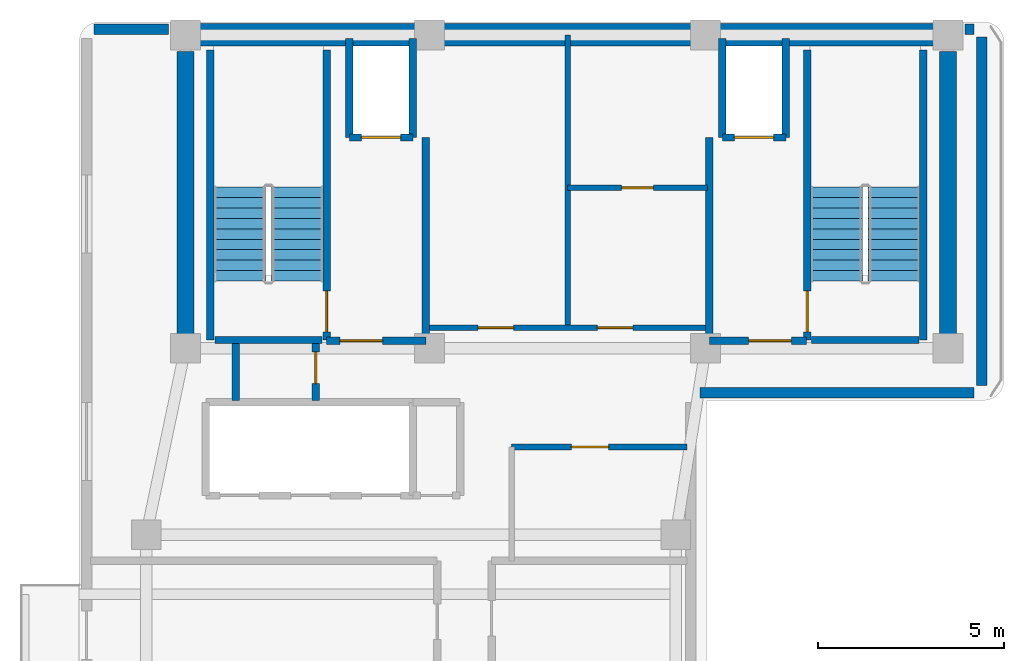
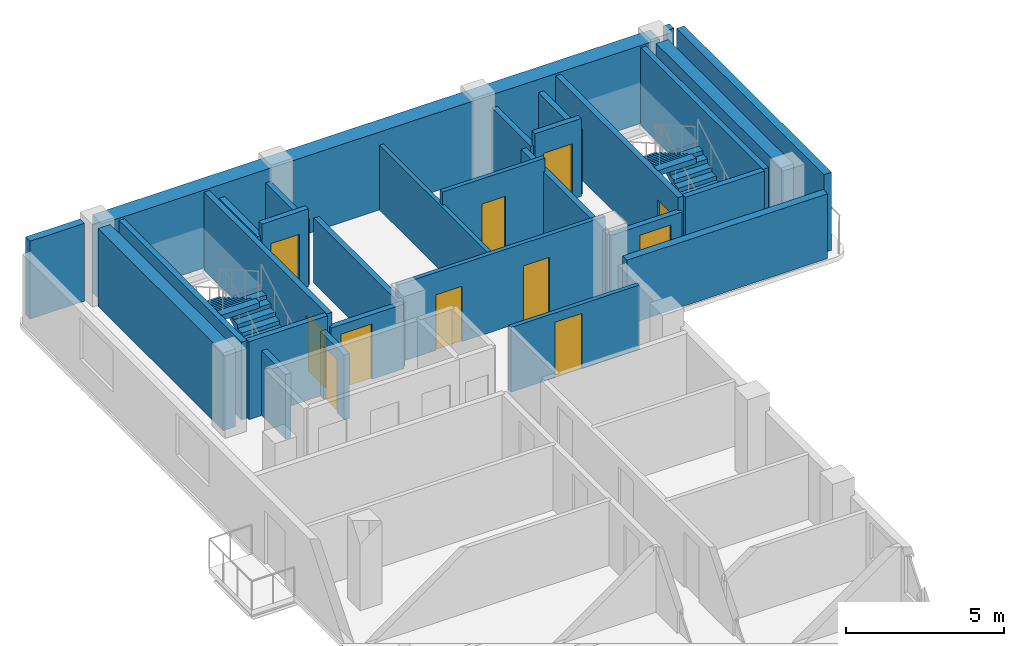
# One storey, part 3 of 5: 29 walls, 11 doors, 4 stair flights, 11 openings, 2 elements without a shape of their own.
"""IFC4 building model written with IfcOpenShell, lengths in metres."""

from ifc_helpers import new_model, si_unit, direction, frame, frame_2d, origin, place, context, subcontext, project, spatial, polyline, rectangle, outline, extrude, material, layer, layer_set, type_object, element, fill, aggregate, save


model = new_model("IFC4")

# Units and contexts
model_context = context("Model", 3, precision=1e-05, world=origin(), true_north=direction((0.0, 1.0)))
body_context = subcontext(model_context, "Body", "Model", "MODEL_VIEW")
ifc_project = project(units=[si_unit("LENGTHUNIT", "METRE"), si_unit("AREAUNIT", "SQUARE_METRE"), si_unit("VOLUMEUNIT", "CUBIC_METRE"), si_unit("PLANEANGLEUNIT", "RADIAN"), si_unit("MASSUNIT", "GRAM", prefix="KILO")], contexts=[model_context])

# Site, building, storey
site_placement = place(None, origin())
site = spatial("IfcSite", under=ifc_project, at=site_placement, CompositionType="ELEMENT")
building_placement = place(site_placement, origin())
building = spatial("IfcBuilding", under=site, at=building_placement, Name="Kuzgunbayir Cultural Tower", CompositionType="ELEMENT")
storey_placement = place(building_placement, frame((0.0, 0.0, 228.0)))
storey = spatial("IfcBuildingStorey", under=building, at=storey_placement, Name="L67", CompositionType="ELEMENT", Elevation=228.0)

# Walls
ifc_material_1 = material(Name="Concrete C50/60", Category="concrete")
ifc_layer_1 = layer(ifc_material_1, 0.449951171875)
ifc_layer_set_1 = layer_set([ifc_layer_1], Name="Concrete C50/60")
wall_type_1 = type_object("IfcWallType", Name="WAL-CORE-450", PredefinedType="SHEAR", material=ifc_layer_set_1)
for number, where, z_axis, x_axis, name in (
    (1, (6.449951171875, 33.800048828125, 0.0), (0.0, 0.0, 1.0), (0.0, 1.0, 0.0), "L67 T1 Core West Shear Wall"),
    (2, (26.89990234375, 33.800048828125, 0.0), (0.0, 0.0, 1.0), (0.0, 1.0, 0.0), "L67 T1 Core East Shear Wall"),
):
    element("IfcWall", number, at=place(storey_placement, frame(where, z_axis=z_axis, x_axis=x_axis)), inside=storey, type_object=wall_type_1, Name=name, PredefinedType="SHEAR", context=body_context, shape_type="SweptSolid", body=[
        extrude(rectangle(XDim=7.949951171875, YDim=0.449951171875, at=frame_2d((3.97509765625, 0.0))), origin(), (0.0, 0.0, 1.0), 3.02001953125),
    ])
ifc_material_2 = material(Name="Concrete C60/75", Category="concrete")
ifc_layer_2 = layer(ifc_material_2, 0.60009765625)
ifc_layer_set_2 = layer_set([ifc_layer_2], Name="Concrete C60/75")
wall_type_2 = type_object("IfcWallType", Name="WAL-CORE-600", PredefinedType="SHEAR", material=ifc_layer_set_2)
wall_1_placement = place(storey_placement, frame((6.449951171875, 42.199951171875, 0.0), z_axis=(0.0, 0.0, 1.0), x_axis=(1.0, 0.0, 0.0)))
element("IfcWall", 3, at=wall_1_placement, inside=storey, type_object=wall_type_2, Name="L67 T1 Core North Shear Wall", PredefinedType="SHEAR", context=body_context, shape_type="SweptSolid", body=[
    extrude(rectangle(XDim=20.449951171875, YDim=0.60009765625, at=frame_2d((10.22509765625, 0.0))), origin(), (0.0, 0.0, 1.0), 3.02001953125),
])
ifc_material_3 = material(Name="Anatolian Cream Limestone", Category="masonry")
ifc_layer_3 = layer(ifc_material_3, 0.280029296875)
ifc_layer_set_3 = layer_set([ifc_layer_3], Name="Anatolian Cream Limestone")
wall_type_3 = type_object("IfcWallType", Name="WAL-EXT-STONE-280", PredefinedType="STANDARD", material=ifc_layer_set_3)
wall_2_placement = place(storey_placement, frame((27.60009765625, 42.35009765625, 0.0), z_axis=(0.0, 0.0, 1.0), x_axis=(-1.0, 0.0, 0.0)))
element("IfcWall", 4, at=wall_2_placement, inside=storey, type_object=wall_type_3, Name="L67 North Wing B Limestone Wall", PredefinedType="STANDARD", context=body_context, shape_type="SweptSolid", body=[
    extrude(rectangle(XDim=0.25, YDim=0.280029296875, at=frame_2d((0.125, 0.0))), origin(), (0.0, 0.0, 1.0), 3.02001953125),
])
wall_3_placement = place(storey_placement, frame((6.0, 42.35009765625, 0.0), z_axis=(0.0, 0.0, 1.0), x_axis=(-1.0, 0.0, 0.0)))
element("IfcWall", 5, at=wall_3_placement, inside=storey, type_object=wall_type_3, Name="L67 Core North-West Spandrel Link", PredefinedType="STANDARD", context=body_context, shape_type="SweptSolid", body=[
    extrude(rectangle(XDim=2.0, YDim=0.280029296875, at=frame_2d((1.0, 0.0))), origin(), (0.0, 0.0, 1.0), 3.02001953125),
])
wall_4_placement = place(storey_placement, frame((27.800048828125, 32.800048828125, 0.0), z_axis=(0.0, 0.0, 1.0), x_axis=(0.0, 1.0, 0.0)))
element("IfcWall", 6, at=wall_4_placement, inside=storey, type_object=wall_type_3, Name="L67 Rear Core East Limestone Wall", PredefinedType="STANDARD", context=body_context, shape_type="SweptSolid", body=[
    extrude(rectangle(XDim=9.349853515625, YDim=0.280029296875, at=frame_2d((4.6748046875, 0.0))), origin(), (0.0, 0.0, 1.0), 3.02001953125),
])
wall_5_placement = place(storey_placement, frame((20.25, 32.60009765625, 0.0), z_axis=(0.0, 0.0, 1.0), x_axis=(1.0, 0.0, 0.0)))
element("IfcWall", 7, at=wall_5_placement, inside=storey, type_object=wall_type_3, Name="L67 Core South Soffit Wall", PredefinedType="STANDARD", context=body_context, shape_type="SweptSolid", body=[
    extrude(rectangle(XDim=7.35009765625, YDim=0.280029296875, at=frame_2d((3.675048828125, 0.0))), origin(), (0.0, 0.0, 1.0), 2.510009765625),
])

# Wall, openings, doors
ifc_material_4 = material(Name="Acoustic Double-Stud Drywall", Category="gypsum")
ifc_layer_4 = layer(ifc_material_4, 0.14990234375)
ifc_layer_set_4 = layer_set([ifc_layer_4], Name="Acoustic Double-Stud Drywall")
wall_type_4 = type_object("IfcWallType", Name="WAL-PART-ACOUSTIC-150", PredefinedType="PARTITIONING", material=ifc_layer_set_4)
wall_6_placement = place(storey_placement, frame((12.89990234375, 34.35009765625, 0.0), z_axis=(0.0, 0.0, 1.0), x_axis=(1.0, 0.0, 0.0)))
wall_6 = element("IfcWall", 8, at=wall_6_placement, inside=storey, type_object=wall_type_4, Name="L67 Sky Core South Wall", PredefinedType="PARTITIONING", context=body_context, shape_type="SweptSolid", body=[
    extrude(rectangle(XDim=7.60009765625, YDim=0.14990234375, at=frame_2d((3.800048828125, 0.0))), origin(), (0.0, 0.0, 1.0), 3.02001953125),
])
opening_1_placement = place(wall_6_placement, frame((1.39990234375, 0.0, 0.0)))
opening_1 = element("IfcOpeningElement", 9, at=opening_1_placement, cuts=wall_6, Name="Opening DC-95", PredefinedType="OPENING", context=body_context, shape_type="SweptSolid", body=[
    extrude(rectangle(XDim=0.949951171875, YDim=2.14990234375, at=frame_2d((0.47509765625, 1.074951171875))), frame((0.0, 0.0849609375, 0.0), z_axis=(0.0, -1.0, 0.0), x_axis=(1.0, 0.0, 0.0)), (0.0, 0.0, 1.0), 0.169921875),
])
opening_2_placement = place(wall_6_placement, frame((4.60009765625, 0.0, 0.0)))
opening_2 = element("IfcOpeningElement", 10, at=opening_2_placement, cuts=wall_6, Name="Opening DC-95", PredefinedType="OPENING", context=body_context, shape_type="SweptSolid", body=[
    extrude(rectangle(XDim=0.949951171875, YDim=2.14990234375, at=frame_2d((0.47509765625, 1.074951171875))), frame((0.0, 0.0849609375, 0.0), z_axis=(0.0, -1.0, 0.0), x_axis=(1.0, 0.0, 0.0)), (0.0, 0.0, 1.0), 0.169921875),
])
ifc_material_5 = material(Name="Fire-Rated Veneered Oak Leaf", Category="wood")
door_type_1 = type_object("IfcDoorType", Name="DR-CORE-95", OperationType="NOTDEFINED", PredefinedType="DOOR", material=ifc_material_5)
door_1_placement = place(opening_1_placement, origin())
door_1 = element("IfcDoor", 11, at=door_1_placement, inside=storey, type_object=door_type_1, Name="L67 Library Alcove Door", OperationType="SINGLE_SWING_RIGHT", OverallHeight=2.14990234375, OverallWidth=0.949951171875, PredefinedType="DOOR", context=body_context, shape_type="SweptSolid", body=[
    extrude(rectangle(XDim=0.949951171875, YDim=2.14990234375, at=frame_2d((0.47509765625, 1.074951171875))), frame((0.0, 0.02490234375, 0.0), z_axis=(0.0, -1.0, 0.0), x_axis=(1.0, 0.0, 0.0)), (0.0, 0.0, 1.0), 0.050048828125),
])
fill(opening_1, door_1)
door_2_placement = place(opening_2_placement, origin())
door_2 = element("IfcDoor", 12, at=door_2_placement, inside=storey, type_object=door_type_1, Name="L67 Music Practice Room Door", OperationType="SINGLE_SWING_LEFT", OverallHeight=2.14990234375, OverallWidth=0.949951171875, PredefinedType="DOOR", context=body_context, shape_type="SweptSolid", body=[
    extrude(rectangle(XDim=0.949951171875, YDim=2.14990234375, at=frame_2d((0.47509765625, 1.074951171875))), frame((0.0, 0.02490234375, 0.0), z_axis=(0.0, -1.0, 0.0), x_axis=(1.0, 0.0, 0.0)), (0.0, 0.0, 1.0), 0.050048828125),
])
fill(opening_2, door_2)

# Wall
wall_7_placement = place(storey_placement, frame((16.699951171875, 34.35009765625, 0.0), z_axis=(0.0, 0.0, 1.0), x_axis=(0.0, 1.0, 0.0)))
element("IfcWall", 13, at=wall_7_placement, inside=storey, type_object=wall_type_4, Name="L67 Sky Core Vertical Wall", PredefinedType="PARTITIONING", context=body_context, shape_type="SweptSolid", body=[
    extrude(rectangle(XDim=7.849853515625, YDim=0.14990234375, at=frame_2d((3.9248046875, 0.0))), origin(), (0.0, 0.0, 1.0), 2.510009765625),
])

# Wall, opening, door
wall_8_placement = place(storey_placement, frame((16.699951171875, 38.10009765625, 0.0), z_axis=(0.0, 0.0, 1.0), x_axis=(1.0, 0.0, 0.0)))
wall_8 = element("IfcWall", 14, at=wall_8_placement, inside=storey, type_object=wall_type_4, Name="L67 Sky Core Store Divider", PredefinedType="PARTITIONING", context=body_context, shape_type="SweptSolid", body=[
    extrude(rectangle(XDim=3.75, YDim=0.14990234375, at=frame_2d((1.875, 0.0))), origin(), (0.0, 0.0, 1.0), 3.02001953125),
])
opening_3_placement = place(wall_8_placement, frame((1.449951171875, 0.0, 0.0)))
opening_3 = element("IfcOpeningElement", 15, at=opening_3_placement, cuts=wall_8, Name="Opening DC-85", PredefinedType="OPENING", context=body_context, shape_type="SweptSolid", body=[
    extrude(rectangle(XDim=0.85009765625, YDim=2.050048828125, at=frame_2d((0.425048828125, 1.02490234375))), frame((0.0, 0.0849609375, 0.0), z_axis=(0.0, -1.0, 0.0), x_axis=(1.0, 0.0, 0.0)), (0.0, 0.0, 1.0), 0.169921875),
])
door_type_2 = type_object("IfcDoorType", Name="DR-CORE-85", OperationType="NOTDEFINED", PredefinedType="DOOR", material=ifc_material_5)
door_3_placement = place(opening_3_placement, origin())
door_3 = element("IfcDoor", 16, at=door_3_placement, inside=storey, type_object=door_type_2, Name="L67 Core Electrical Store Door", OperationType="SINGLE_SWING_RIGHT", OverallHeight=2.050048828125, OverallWidth=0.85009765625, PredefinedType="DOOR", context=body_context, shape_type="SweptSolid", body=[
    extrude(rectangle(XDim=0.85009765625, YDim=2.050048828125, at=frame_2d((0.425048828125, 1.02490234375))), frame((0.0, 0.02490234375, 0.0), z_axis=(0.0, -1.0, 0.0), x_axis=(1.0, 0.0, 0.0)), (0.0, 0.0, 1.0), 0.050048828125),
])
fill(opening_3, door_3)

wall_9_placement = place(storey_placement, frame((15.199951171875, 31.14990234375, 0.0), z_axis=(0.0, 0.0, 1.0), x_axis=(1.0, 0.0, 0.0)))
wall_9 = element("IfcWall", 17, at=wall_9_placement, inside=storey, type_object=wall_type_4, Name="L67 Central Sky Salon North Wall", PredefinedType="PARTITIONING", context=body_context, shape_type="SweptSolid", body=[
    extrude(rectangle(XDim=4.699951171875, YDim=0.14990234375, at=frame_2d((2.35009765625, 0.0))), origin(), (0.0, 0.0, 1.0), 2.510009765625),
])
opening_4_placement = place(wall_9_placement, frame((1.60009765625, 0.0, 0.0)))
opening_4 = element("IfcOpeningElement", 18, at=opening_4_placement, cuts=wall_9, Name="Opening DI-100", PredefinedType="OPENING", context=body_context, shape_type="SweptSolid", body=[
    extrude(rectangle(XDim=1.0, YDim=2.14990234375, at=frame_2d((0.5, 1.074951171875))), frame((0.0, 0.0849609375, 0.0), z_axis=(0.0, -1.0, 0.0), x_axis=(1.0, 0.0, 0.0)), (0.0, 0.0, 1.0), 0.169921875),
])
ifc_material_6 = material(Name="Veneered Oak Single Leaf", Category="wood")
door_type_3 = type_object("IfcDoorType", Name="DR-INT-100", OperationType="NOTDEFINED", PredefinedType="DOOR", material=ifc_material_6)
door_4_placement = place(opening_4_placement, origin())
door_4 = element("IfcDoor", 19, at=door_4_placement, inside=storey, type_object=door_type_3, Name="L67 Central Sky Salon Door", OperationType="SINGLE_SWING_LEFT", OverallHeight=2.14990234375, OverallWidth=1.0, PredefinedType="DOOR", context=body_context, shape_type="SweptSolid", body=[
    extrude(rectangle(XDim=1.0, YDim=2.14990234375, at=frame_2d((0.5, 1.074951171875))), frame((0.0, 0.02490234375, 0.0), z_axis=(0.0, -1.0, 0.0), x_axis=(1.0, 0.0, 0.0)), (0.0, 0.0, 1.0), 0.050048828125),
])
fill(opening_4, door_4)

# Wall
ifc_material_7 = material(Name="Aerated Concrete Blockwork", Category="masonry")
ifc_layer_5 = layer(ifc_material_7, 0.199951171875)
ifc_layer_set_5 = layer_set([ifc_layer_5], Name="Aerated Concrete Blockwork")
wall_type_5 = type_object("IfcWallType", Name="WAL-PART-FIRE-200", PredefinedType="PARTITIONING", material=ifc_layer_set_5)
wall_10_placement = place(storey_placement, frame((12.89990234375, 34.0, 0.0), z_axis=(0.0, 0.0, 1.0), x_axis=(0.0, 1.0, 0.0)))
element("IfcWall", 20, at=wall_10_placement, inside=storey, type_object=wall_type_5, Name="L67 FFL-1 Lobby East Fire Wall", PredefinedType="PARTITIONING", context=body_context, shape_type="SweptSolid", body=[
    extrude(rectangle(XDim=5.449951171875, YDim=0.199951171875, at=frame_2d((2.72509765625, 0.0))), origin(), (0.0, 0.0, 1.0), 2.510009765625),
])

# Wall, opening, door
wall_11_placement = place(storey_placement, frame((10.239990234375, 34.0, 0.0), z_axis=(0.0, 0.0, 1.0), x_axis=(1.0, 0.0, 0.0)))
wall_11 = element("IfcWall", 21, at=wall_11_placement, inside=storey, type_object=wall_type_5, Name="L67 FFL-1 Lobby South Fire Wall", PredefinedType="PARTITIONING", context=body_context, shape_type="SweptSolid", body=[
    extrude(rectangle(XDim=2.659912109375, YDim=0.199951171875, at=frame_2d((1.330078125, 0.0))), origin(), (0.0, 0.0, 1.0), 2.510009765625),
])
opening_5_placement = place(wall_11_placement, frame((0.35009765625, 0.0, 0.0)))
opening_5 = element("IfcOpeningElement", 22, at=opening_5_placement, cuts=wall_11, Name="Opening DR-FFL-90", PredefinedType="OPENING", context=body_context, shape_type="SweptSolid", body=[
    extrude(rectangle(XDim=1.14990234375, YDim=2.14990234375, at=frame_2d((0.574951171875, 1.074951171875))), frame((0.0, 0.10986328125, 0.0), z_axis=(0.0, -1.0, 0.0), x_axis=(1.0, 0.0, 0.0)), (0.0, 0.0, 1.0), 0.219970703125),
])
ifc_material_8 = material(Name="Steel S355J2", Category="steel")
door_type_4 = type_object("IfcDoorType", Name="DR-FFL-90", OperationType="NOTDEFINED", PredefinedType="DOOR", material=ifc_material_8)
door_5_placement = place(opening_5_placement, origin())
door_5 = element("IfcDoor", 23, at=door_5_placement, inside=storey, type_object=door_type_4, Name="L67 Firefighting Lobby 1 Door", OperationType="SINGLE_SWING_RIGHT", OverallHeight=2.14990234375, OverallWidth=1.14990234375, PredefinedType="DOOR", context=body_context, shape_type="SweptSolid", body=[
    extrude(rectangle(XDim=1.14990234375, YDim=2.14990234375, at=frame_2d((0.574951171875, 1.074951171875))), frame((0.0, 0.02490234375, 0.0), z_axis=(0.0, -1.0, 0.0), x_axis=(1.0, 0.0, 0.0)), (0.0, 0.0, 1.0), 0.050048828125),
])
fill(opening_5, door_5)

# Wall
wall_12_placement = place(storey_placement, frame((20.5, 34.0, 0.0), z_axis=(0.0, 0.0, 1.0), x_axis=(0.0, 1.0, 0.0)))
element("IfcWall", 24, at=wall_12_placement, inside=storey, type_object=wall_type_5, Name="L67 FFL-2 Lobby West Fire Wall", PredefinedType="PARTITIONING", context=body_context, shape_type="SweptSolid", body=[
    extrude(rectangle(XDim=5.449951171875, YDim=0.199951171875, at=frame_2d((2.72509765625, 0.0))), origin(), (0.0, 0.0, 1.0), 2.510009765625),
])

# Wall, opening, door
wall_13_placement = place(storey_placement, frame((20.5, 34.0, 0.0), z_axis=(0.0, 0.0, 1.0), x_axis=(1.0, 0.0, 0.0)))
wall_13 = element("IfcWall", 25, at=wall_13_placement, inside=storey, type_object=wall_type_5, Name="L67 FFL-2 Lobby South Fire Wall", PredefinedType="PARTITIONING", context=body_context, shape_type="SweptSolid", body=[
    extrude(rectangle(XDim=2.60009765625, YDim=0.199951171875, at=frame_2d((1.300048828125, 0.0))), origin(), (0.0, 0.0, 1.0), 2.510009765625),
])
opening_6_placement = place(wall_13_placement, frame((1.050048828125, 0.0, 0.0)))
opening_6 = element("IfcOpeningElement", 26, at=opening_6_placement, cuts=wall_13, Name="Opening DR-FFL-90", PredefinedType="OPENING", context=body_context, shape_type="SweptSolid", body=[
    extrude(rectangle(XDim=1.14990234375, YDim=2.14990234375, at=frame_2d((0.574951171875, 1.074951171875))), frame((0.0, 0.10986328125, 0.0), z_axis=(0.0, -1.0, 0.0), x_axis=(1.0, 0.0, 0.0)), (0.0, 0.0, 1.0), 0.219970703125),
])
door_6_placement = place(opening_6_placement, origin())
door_6 = element("IfcDoor", 27, at=door_6_placement, inside=storey, type_object=door_type_4, Name="L67 Firefighting Lobby 2 Door", OperationType="SINGLE_SWING_LEFT", OverallHeight=2.14990234375, OverallWidth=1.14990234375, PredefinedType="DOOR", context=body_context, shape_type="SweptSolid", body=[
    extrude(rectangle(XDim=1.14990234375, YDim=2.14990234375, at=frame_2d((0.574951171875, 1.074951171875))), frame((0.0, 0.02490234375, 0.0), z_axis=(0.0, -1.0, 0.0), x_axis=(1.0, 0.0, 0.0)), (0.0, 0.0, 1.0), 0.050048828125),
])
fill(opening_6, door_6)

# Wall
wall_14_placement = place(storey_placement, frame((7.800048828125, 32.39990234375, 0.0), z_axis=(0.0, 0.0, 1.0), x_axis=(0.0, 1.0, 0.0)))
element("IfcWall", 28, at=wall_14_placement, inside=storey, type_object=wall_type_5, Name="L67 West Core Electrical Closet West Wall", PredefinedType="PARTITIONING", context=body_context, shape_type="SweptSolid", body=[
    extrude(rectangle(XDim=1.52001953125, YDim=0.199951171875, at=frame_2d((0.760009765625, 0.0))), origin(), (0.0, 0.0, 1.0), 2.510009765625),
])

# Wall, opening, door
wall_15_placement = place(storey_placement, frame((9.949951171875, 32.39990234375, 0.0), z_axis=(0.0, 0.0, 1.0), x_axis=(0.0, 1.0, 0.0)))
wall_15 = element("IfcWall", 29, at=wall_15_placement, inside=storey, type_object=wall_type_5, Name="L67 West Core Electrical Closet East Wall", PredefinedType="PARTITIONING", context=body_context, shape_type="SweptSolid", body=[
    extrude(rectangle(XDim=1.52001953125, YDim=0.199951171875, at=frame_2d((0.760009765625, 0.0))), origin(), (0.0, 0.0, 1.0), 2.510009765625),
])
opening_7_placement = place(wall_15_placement, frame((0.449951171875, 0.0, 0.0)))
opening_7 = element("IfcOpeningElement", 30, at=opening_7_placement, cuts=wall_15, Name="Opening DR-RSR-60", PredefinedType="OPENING", context=body_context, shape_type="SweptSolid", body=[
    extrude(rectangle(XDim=0.85009765625, YDim=2.050048828125, at=frame_2d((0.425048828125, 1.02490234375))), frame((0.0, 0.10986328125, 0.0), z_axis=(0.0, -1.0, 0.0), x_axis=(1.0, 0.0, 0.0)), (0.0, 0.0, 1.0), 0.219970703125),
])
ifc_material_9 = material(Name="Steel Access Leaf", Category="steel")
door_type_5 = type_object("IfcDoorType", Name="DR-RISER-60", OperationType="NOTDEFINED", PredefinedType="DOOR", material=ifc_material_9)
door_7_placement = place(opening_7_placement, origin())
door_7 = element("IfcDoor", 31, at=door_7_placement, inside=storey, type_object=door_type_5, Name="L67 West Core Switchgear Closet Door", OperationType="SINGLE_SWING_LEFT", OverallHeight=2.050048828125, OverallWidth=0.85009765625, PredefinedType="DOOR", context=body_context, shape_type="SweptSolid", body=[
    extrude(rectangle(XDim=0.85009765625, YDim=2.050048828125, at=frame_2d((0.425048828125, 1.02490234375))), frame((0.0, 0.02490234375, 0.0), z_axis=(0.0, -1.0, 0.0), x_axis=(1.0, 0.0, 0.0)), (0.0, 0.0, 1.0), 0.050048828125),
])
fill(opening_7, door_7)

ifc_material_10 = material(Name="Concrete C40/50", Category="concrete")
ifc_layer_6 = layer(ifc_material_10, 0.199951171875)
ifc_layer_set_6 = layer_set([ifc_layer_6], Name="Concrete C40/50")
wall_type_6 = type_object("IfcWallType", Name="WAL-SHAFT-200", PredefinedType="MOVABLE", material=ifc_layer_set_6)
wall_16_placement = place(storey_placement, frame((10.85009765625, 39.449951171875, 0.0), z_axis=(0.0, 0.0, 1.0), x_axis=(1.0, 0.0, 0.0)))
wall_16 = element("IfcWall", 32, at=wall_16_placement, inside=storey, type_object=wall_type_6, Name="L67 FFL-1 Lift Front Wall", PredefinedType="MOVABLE", context=body_context, shape_type="SweptSolid", body=[
    extrude(rectangle(XDim=1.699951171875, YDim=0.199951171875, at=frame_2d((0.85009765625, 0.0))), origin(), (0.0, 0.0, 1.0), 3.02001953125),
])
opening_8_placement = place(wall_16_placement, frame((0.320068359375, 0.0, 0.0)))
opening_8 = element("IfcOpeningElement", 33, at=opening_8_placement, cuts=wall_16, Name="Opening LD", PredefinedType="OPENING", context=body_context, shape_type="SweptSolid", body=[
    extrude(rectangle(XDim=1.050048828125, YDim=2.14990234375, at=frame_2d((0.52490234375, 1.074951171875))), frame((0.0, 0.10986328125, 0.0), z_axis=(0.0, -1.0, 0.0), x_axis=(1.0, 0.0, 0.0)), (0.0, 0.0, 1.0), 0.219970703125),
])
ifc_material_11 = material(Name="Brushed Stainless Steel", Category="steel")
door_type_6 = type_object("IfcDoorType", Name="DR-LIFT-LANDING", OperationType="SLIDING_TO_LEFT", PredefinedType="DOOR", material=ifc_material_11)
door_8_placement = place(opening_8_placement, origin())
door_8 = element("IfcDoor", 34, at=door_8_placement, inside=storey, type_object=door_type_6, Name="L67 Lift FFL-1 Landing Door", OperationType="SLIDING_TO_LEFT", OverallHeight=2.14990234375, OverallWidth=1.050048828125, PredefinedType="DOOR", context=body_context, shape_type="SweptSolid", body=[
    extrude(rectangle(XDim=1.050048828125, YDim=2.14990234375, at=frame_2d((0.52490234375, 1.074951171875))), frame((0.0, 0.02490234375, 0.0), z_axis=(0.0, -1.0, 0.0), x_axis=(1.0, 0.0, 0.0)), (0.0, 0.0, 1.0), 0.050048828125),
])
fill(opening_8, door_8)

wall_17_placement = place(storey_placement, frame((20.85009765625, 39.449951171875, 0.0), z_axis=(0.0, 0.0, 1.0), x_axis=(1.0, 0.0, 0.0)))
wall_17 = element("IfcWall", 35, at=wall_17_placement, inside=storey, type_object=wall_type_6, Name="L67 FFL-2 Lift Front Wall", PredefinedType="MOVABLE", context=body_context, shape_type="SweptSolid", body=[
    extrude(rectangle(XDim=1.699951171875, YDim=0.199951171875, at=frame_2d((0.85009765625, 0.0))), origin(), (0.0, 0.0, 1.0), 3.02001953125),
])
opening_9_placement = place(wall_17_placement, frame((0.320068359375, 0.0, 0.0)))
opening_9 = element("IfcOpeningElement", 36, at=opening_9_placement, cuts=wall_17, Name="Opening LD", PredefinedType="OPENING", context=body_context, shape_type="SweptSolid", body=[
    extrude(rectangle(XDim=1.050048828125, YDim=2.14990234375, at=frame_2d((0.52490234375, 1.074951171875))), frame((0.0, 0.10986328125, 0.0), z_axis=(0.0, -1.0, 0.0), x_axis=(1.0, 0.0, 0.0)), (0.0, 0.0, 1.0), 0.219970703125),
])
door_9_placement = place(opening_9_placement, origin())
door_9 = element("IfcDoor", 37, at=door_9_placement, inside=storey, type_object=door_type_6, Name="L67 Lift FFL-2 Landing Door", OperationType="SLIDING_TO_LEFT", OverallHeight=2.14990234375, OverallWidth=1.050048828125, PredefinedType="DOOR", context=body_context, shape_type="SweptSolid", body=[
    extrude(rectangle(XDim=1.050048828125, YDim=2.14990234375, at=frame_2d((0.52490234375, 1.074951171875))), frame((0.0, 0.02490234375, 0.0), z_axis=(0.0, -1.0, 0.0), x_axis=(1.0, 0.0, 0.0)), (0.0, 0.0, 1.0), 0.050048828125),
])
fill(opening_9, door_9)

# Walls
for number, where, z_axis, x_axis, name in (
    (38, (10.85009765625, 39.449951171875, 0.0), (0.0, 0.0, 1.0), (0.0, 1.0, 0.0), "L67 FFL-1 Shaft West Wall"),
    (39, (12.550048828125, 39.449951171875, 0.0), (0.0, 0.0, 1.0), (0.0, 1.0, 0.0), "L67 FFL-1 Shaft East Wall"),
    (40, (20.85009765625, 39.449951171875, 0.0), (0.0, 0.0, 1.0), (0.0, 1.0, 0.0), "L67 FFL-2 Shaft West Wall"),
    (41, (22.550048828125, 39.449951171875, 0.0), (0.0, 0.0, 1.0), (0.0, 1.0, 0.0), "L67 FFL-2 Shaft East Wall"),
):
    element("IfcWall", number, at=place(storey_placement, frame(where, z_axis=z_axis, x_axis=x_axis)), inside=storey, type_object=wall_type_6, Name=name, PredefinedType="MOVABLE", context=body_context, shape_type="SweptSolid", body=[
        extrude(rectangle(XDim=2.650146484375, YDim=0.199951171875, at=frame_2d((1.3251953125, 0.0))), origin(), (0.0, 0.0, 1.0), 2.510009765625),
    ])
ifc_layer_7 = layer(ifc_material_10, 0.199951171875)
ifc_layer_set_7 = layer_set([ifc_layer_7], Name="Concrete C40/50")
wall_type_7 = type_object("IfcWallType", Name="WAL-STAIR-RC-200", PredefinedType="SHEAR", material=ifc_layer_set_7)
wall_18_placement = place(storey_placement, frame((7.1201171875, 34.02001953125, 0.0), z_axis=(0.0, 0.0, 1.0), x_axis=(0.0, 1.0, 0.0)))
element("IfcWall", 42, at=wall_18_placement, inside=storey, type_object=wall_type_7, Name="L67 Stair ST-1 West Structural Wall", PredefinedType="SHEAR", context=body_context, shape_type="SweptSolid", body=[
    extrude(rectangle(XDim=7.780029296875, YDim=0.199951171875, at=frame_2d((3.89013671875, 0.0))), origin(), (0.0, 0.0, 1.0), 3.02001953125),
])

# Wall, opening, door
wall_19_placement = place(storey_placement, frame((10.239990234375, 34.02001953125, 0.0), z_axis=(0.0, 0.0, 1.0), x_axis=(0.0, 1.0, 0.0)))
wall_19 = element("IfcWall", 43, at=wall_19_placement, inside=storey, type_object=wall_type_7, Name="L67 Stair ST-1 East Structural Wall", PredefinedType="SHEAR", context=body_context, shape_type="SweptSolid", body=[
    extrude(rectangle(XDim=7.780029296875, YDim=0.199951171875, at=frame_2d((3.89013671875, 0.0))), origin(), (0.0, 0.0, 1.0), 3.02001953125),
])
opening_10_placement = place(wall_19_placement, frame((0.219970703125, 0.0, 0.0)))
opening_10 = element("IfcOpeningElement", 44, at=opening_10_placement, cuts=wall_19, Name="Opening DR-STAIR-90", PredefinedType="OPENING", context=body_context, shape_type="SweptSolid", body=[
    extrude(rectangle(XDim=1.10009765625, YDim=2.14990234375, at=frame_2d((0.550048828125, 1.074951171875))), frame((0.0, 0.10986328125, 0.0), z_axis=(0.0, -1.0, 0.0), x_axis=(1.0, 0.0, 0.0)), (0.0, 0.0, 1.0), 0.219970703125),
])
door_type_7 = type_object("IfcDoorType", Name="DR-STAIR-90", OperationType="NOTDEFINED", PredefinedType="DOOR", material=ifc_material_8)
door_10_placement = place(opening_10_placement, origin())
door_10 = element("IfcDoor", 45, at=door_10_placement, inside=storey, type_object=door_type_7, Name="L67 Stair ST-1 Fire Door", OperationType="SINGLE_SWING_LEFT", OverallHeight=2.14990234375, OverallWidth=1.10009765625, PredefinedType="DOOR", context=body_context, shape_type="SweptSolid", body=[
    extrude(rectangle(XDim=1.10009765625, YDim=2.14990234375, at=frame_2d((0.550048828125, 1.074951171875))), frame((0.0, 0.02490234375, 0.0), z_axis=(0.0, -1.0, 0.0), x_axis=(1.0, 0.0, 0.0)), (0.0, 0.0, 1.0), 0.050048828125),
])
fill(opening_10, door_10)

# Wall
wall_20_placement = place(storey_placement, frame((7.239990234375, 34.02001953125, 0.0), z_axis=(0.0, 0.0, 1.0), x_axis=(1.0, 0.0, 0.0)))
element("IfcWall", 46, at=wall_20_placement, inside=storey, type_object=wall_type_7, Name="L67 Stair ST-1 South Structural Wall", PredefinedType="SHEAR", context=body_context, shape_type="SweptSolid", body=[
    extrude(rectangle(XDim=2.880126953125, YDim=0.199951171875, at=frame_2d((1.43994140625, 0.0))), origin(), (0.0, 0.0, 1.0), 3.02001953125),
])

# Wall, opening, door
wall_21_placement = place(storey_placement, frame((23.1201171875, 34.02001953125, 0.0), z_axis=(0.0, 0.0, 1.0), x_axis=(0.0, 1.0, 0.0)))
wall_21 = element("IfcWall", 47, at=wall_21_placement, inside=storey, type_object=wall_type_7, Name="L67 Stair ST-2 West Structural Wall", PredefinedType="SHEAR", context=body_context, shape_type="SweptSolid", body=[
    extrude(rectangle(XDim=7.780029296875, YDim=0.199951171875, at=frame_2d((3.89013671875, 0.0))), origin(), (0.0, 0.0, 1.0), 3.02001953125),
])
opening_11_placement = place(wall_21_placement, frame((0.219970703125, 0.0, 0.0)))
opening_11 = element("IfcOpeningElement", 48, at=opening_11_placement, cuts=wall_21, Name="Opening DR-STAIR-90", PredefinedType="OPENING", context=body_context, shape_type="SweptSolid", body=[
    extrude(rectangle(XDim=1.10009765625, YDim=2.14990234375, at=frame_2d((0.550048828125, 1.074951171875))), frame((0.0, 0.10986328125, 0.0), z_axis=(0.0, -1.0, 0.0), x_axis=(1.0, 0.0, 0.0)), (0.0, 0.0, 1.0), 0.219970703125),
])
door_11_placement = place(opening_11_placement, origin())
door_11 = element("IfcDoor", 49, at=door_11_placement, inside=storey, type_object=door_type_7, Name="L67 Stair ST-2 Fire Door", OperationType="SINGLE_SWING_LEFT", OverallHeight=2.14990234375, OverallWidth=1.10009765625, PredefinedType="DOOR", context=body_context, shape_type="SweptSolid", body=[
    extrude(rectangle(XDim=1.10009765625, YDim=2.14990234375, at=frame_2d((0.550048828125, 1.074951171875))), frame((0.0, 0.02490234375, 0.0), z_axis=(0.0, -1.0, 0.0), x_axis=(1.0, 0.0, 0.0)), (0.0, 0.0, 1.0), 0.050048828125),
])
fill(opening_11, door_11)

# Walls
wall_22_placement = place(storey_placement, frame((26.239990234375, 34.02001953125, 0.0), z_axis=(0.0, 0.0, 1.0), x_axis=(0.0, 1.0, 0.0)))
element("IfcWall", 50, at=wall_22_placement, inside=storey, type_object=wall_type_7, Name="L67 Stair ST-2 East Structural Wall", PredefinedType="SHEAR", context=body_context, shape_type="SweptSolid", body=[
    extrude(rectangle(XDim=7.780029296875, YDim=0.199951171875, at=frame_2d((3.89013671875, 0.0))), origin(), (0.0, 0.0, 1.0), 3.02001953125),
])
wall_23_placement = place(storey_placement, frame((23.239990234375, 34.02001953125, 0.0), z_axis=(0.0, 0.0, 1.0), x_axis=(1.0, 0.0, 0.0)))
element("IfcWall", 51, at=wall_23_placement, inside=storey, type_object=wall_type_7, Name="L67 Stair ST-2 South Structural Wall", PredefinedType="SHEAR", context=body_context, shape_type="SweptSolid", body=[
    extrude(rectangle(XDim=2.880126953125, YDim=0.199951171875, at=frame_2d((1.43994140625, 0.0))), origin(), (0.0, 0.0, 1.0), 3.02001953125),
])

# Stair, stair flights
stair_type = type_object("IfcStairType", Name="STR-EXIT-CORE", PredefinedType="HALF_TURN_STAIR", material=ifc_material_10)
stair_1_placement = place(storey_placement, origin())
stair_1 = element("IfcStair", 52, at=stair_1_placement, inside=storey, type_object=stair_type, Name="L67 ST-1", PredefinedType="HALF_TURN_STAIR")
stair_flight_type = type_object("IfcStairFlightType", Name="STRF-RC-140", PredefinedType="STRAIGHT", material=ifc_material_10)
stair_flight_1_placement = place(storey_placement, frame((9.4599609375, 35.60009765625, 0.0), z_axis=(0.0, 0.0, 1.0), x_axis=(0.0, 1.0, 0.0)))
stair_flight_1 = element("IfcStairFlight", 53, at=stair_flight_1_placement, type_object=stair_flight_type, Name="ST-1 flight 1", NumberOfRisers=10, NumberOfTreads=9, PredefinedType="STRAIGHT", RiserHeight=0.16, TreadLength=0.28, context=body_context, shape_type="SweptSolid", body=[
    extrude(outline(polyline([(0.0, 0.0), (0.0, 0.159912109375), (0.280029296875, 0.159912109375), (0.280029296875, 0.320068359375), (0.56005859375, 0.320068359375), (0.56005859375, 0.47998046875), (0.840087890625, 0.47998046875), (0.840087890625, 0.639892578125), (1.1201171875, 0.639892578125), (1.1201171875, 0.800048828125), (1.39990234375, 0.800048828125), (1.39990234375, 0.9599609375), (1.679931640625, 0.9599609375), (1.679931640625, 1.1201171875), (1.9599609375, 1.1201171875), (1.9599609375, 1.280029296875), (2.239990234375, 1.280029296875), (2.239990234375, 1.43994140625), (2.52001953125, 1.43994140625), (2.52001953125, 1.60009765625), (2.52001953125, 1.232666015625), (0.362548828125, 0.0), (0.0, 0.0)])), frame((0.0, 0.699951171875, 0.0), z_axis=(0.0, -1.0, 0.0), x_axis=(1.0, 0.0, 0.0)), (0.0, 0.0, 1.0), 1.39990234375),
])
stair_flight_2_placement = place(storey_placement, frame((7.89990234375, 38.1201171875, 1.60009765625), z_axis=(0.0, 0.0, 1.0), x_axis=(0.0, -1.0, 0.0)))
stair_flight_2 = element("IfcStairFlight", 54, at=stair_flight_2_placement, type_object=stair_flight_type, Name="ST-1 flight 2", NumberOfRisers=10, NumberOfTreads=9, PredefinedType="STRAIGHT", RiserHeight=0.16, TreadLength=0.28, context=body_context, shape_type="SweptSolid", body=[
    extrude(outline(polyline([(0.0, 0.0), (0.0, 0.159912109375), (0.280029296875, 0.159912109375), (0.280029296875, 0.320068359375), (0.56005859375, 0.320068359375), (0.56005859375, 0.47998046875), (0.840087890625, 0.47998046875), (0.840087890625, 0.639892578125), (1.1201171875, 0.639892578125), (1.1201171875, 0.800048828125), (1.39990234375, 0.800048828125), (1.39990234375, 0.9599609375), (1.679931640625, 0.9599609375), (1.679931640625, 1.1201171875), (1.9599609375, 1.1201171875), (1.9599609375, 1.280029296875), (2.239990234375, 1.280029296875), (2.239990234375, 1.43994140625), (2.52001953125, 1.43994140625), (2.52001953125, 1.60009765625), (2.52001953125, 1.232666015625), (0.362548828125, 0.0), (0.0, 0.0)])), frame((0.0, 0.699951171875, 0.0), z_axis=(0.0, -1.0, 0.0), x_axis=(1.0, 0.0, 0.0)), (0.0, 0.0, 1.0), 1.39990234375),
])
aggregate(stair_1, [stair_flight_1, stair_flight_2])

stair_2_placement = place(storey_placement, origin())
stair_2 = element("IfcStair", 55, at=stair_2_placement, inside=storey, type_object=stair_type, Name="L67 ST-2", PredefinedType="HALF_TURN_STAIR")
stair_flight_3_placement = place(storey_placement, frame((25.4599609375, 35.60009765625, 0.0), z_axis=(0.0, 0.0, 1.0), x_axis=(0.0, 1.0, 0.0)))
stair_flight_3 = element("IfcStairFlight", 56, at=stair_flight_3_placement, type_object=stair_flight_type, Name="ST-2 flight 1", NumberOfRisers=10, NumberOfTreads=9, PredefinedType="STRAIGHT", RiserHeight=0.16, TreadLength=0.28, context=body_context, shape_type="SweptSolid", body=[
    extrude(outline(polyline([(0.0, 0.0), (0.0, 0.159912109375), (0.280029296875, 0.159912109375), (0.280029296875, 0.320068359375), (0.56005859375, 0.320068359375), (0.56005859375, 0.47998046875), (0.840087890625, 0.47998046875), (0.840087890625, 0.639892578125), (1.1201171875, 0.639892578125), (1.1201171875, 0.800048828125), (1.39990234375, 0.800048828125), (1.39990234375, 0.9599609375), (1.679931640625, 0.9599609375), (1.679931640625, 1.1201171875), (1.9599609375, 1.1201171875), (1.9599609375, 1.280029296875), (2.239990234375, 1.280029296875), (2.239990234375, 1.43994140625), (2.52001953125, 1.43994140625), (2.52001953125, 1.60009765625), (2.52001953125, 1.232666015625), (0.362548828125, 0.0), (0.0, 0.0)])), frame((0.0, 0.699951171875, 0.0), z_axis=(0.0, -1.0, 0.0), x_axis=(1.0, 0.0, 0.0)), (0.0, 0.0, 1.0), 1.39990234375),
])
stair_flight_4_placement = place(storey_placement, frame((23.89990234375, 38.1201171875, 1.60009765625), z_axis=(0.0, 0.0, 1.0), x_axis=(0.0, -1.0, 0.0)))
stair_flight_4 = element("IfcStairFlight", 57, at=stair_flight_4_placement, type_object=stair_flight_type, Name="ST-2 flight 2", NumberOfRisers=10, NumberOfTreads=9, PredefinedType="STRAIGHT", RiserHeight=0.16, TreadLength=0.28, context=body_context, shape_type="SweptSolid", body=[
    extrude(outline(polyline([(0.0, 0.0), (0.0, 0.159912109375), (0.280029296875, 0.159912109375), (0.280029296875, 0.320068359375), (0.56005859375, 0.320068359375), (0.56005859375, 0.47998046875), (0.840087890625, 0.47998046875), (0.840087890625, 0.639892578125), (1.1201171875, 0.639892578125), (1.1201171875, 0.800048828125), (1.39990234375, 0.800048828125), (1.39990234375, 0.9599609375), (1.679931640625, 0.9599609375), (1.679931640625, 1.1201171875), (1.9599609375, 1.1201171875), (1.9599609375, 1.280029296875), (2.239990234375, 1.280029296875), (2.239990234375, 1.43994140625), (2.52001953125, 1.43994140625), (2.52001953125, 1.60009765625), (2.52001953125, 1.232666015625), (0.362548828125, 0.0), (0.0, 0.0)])), frame((0.0, 0.699951171875, 0.0), z_axis=(0.0, -1.0, 0.0), x_axis=(1.0, 0.0, 0.0)), (0.0, 0.0, 1.0), 1.39990234375),
])
aggregate(stair_2, [stair_flight_3, stair_flight_4])

save(model, "model.ifc")
